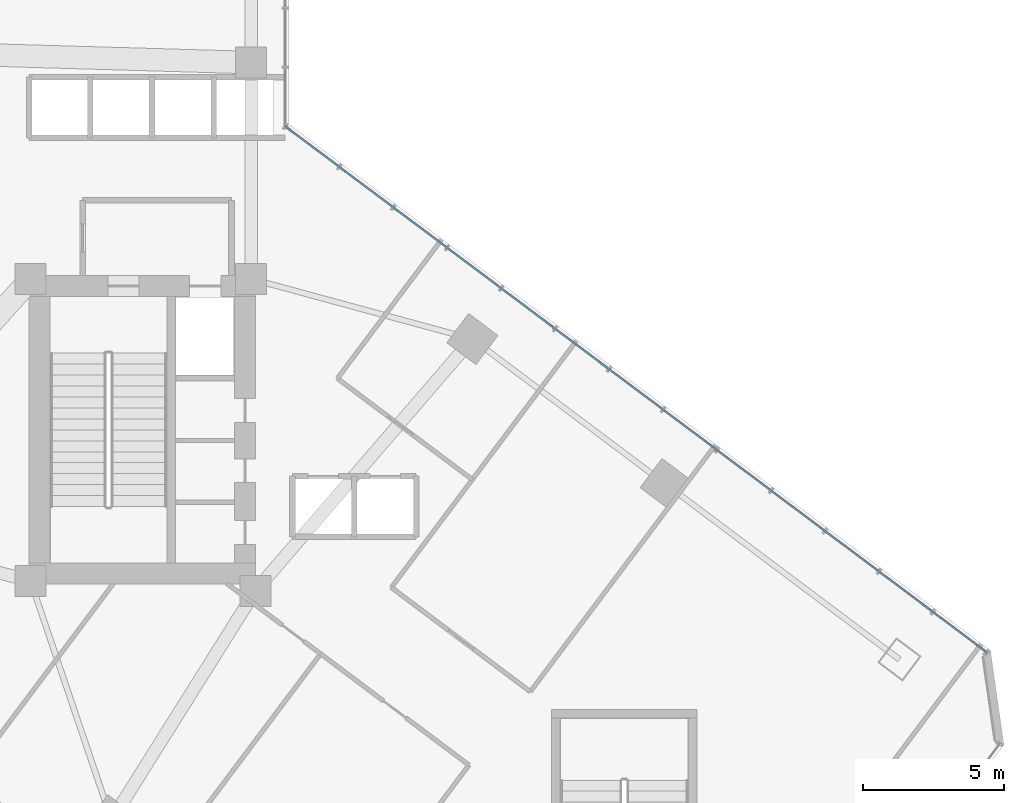
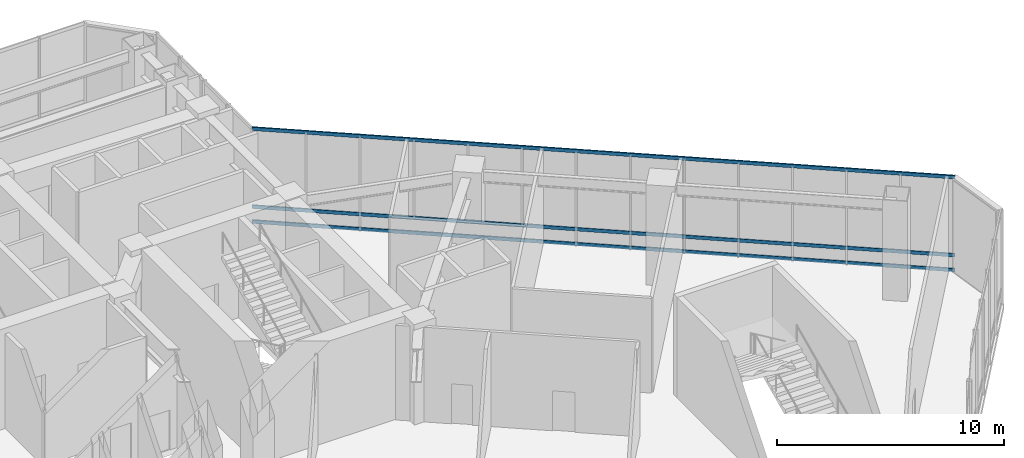
# One storey, part 8 of 35: 3 members, 1 element without a shape of its own.
"""IFC4 building model written with IfcOpenShell, lengths in metres."""

from ifc_helpers import new_model, si_unit, direction, frame, origin, origin_2d, place, context, subcontext, project, spatial, hollow_rectangle, extrude, material, layer, layer_set, material_profile, profile_set, type_object, element, aggregate, save


model = new_model("IFC4")

# Units and contexts
model_context = context("Model", 3, precision=1e-05, world=origin(), true_north=direction((0.0, 1.0)))
body_context = subcontext(model_context, "Body", "Model", "MODEL_VIEW")
ifc_project = project(units=[si_unit("LENGTHUNIT", "METRE"), si_unit("AREAUNIT", "SQUARE_METRE"), si_unit("VOLUMEUNIT", "CUBIC_METRE"), si_unit("PLANEANGLEUNIT", "RADIAN"), si_unit("MASSUNIT", "GRAM", prefix="KILO")], contexts=[model_context])

# Site, building, storey
site_placement = place(None, origin())
site = spatial("IfcSite", under=ifc_project, at=site_placement, CompositionType="ELEMENT")
building_placement = place(site_placement, origin())
building = spatial("IfcBuilding", under=site, at=building_placement, Name="Hatsunagi Terrace Concourse", CompositionType="ELEMENT")
storey_placement = place(building_placement, frame((0.0, 0.0, 10.800048828125)))
storey = spatial("IfcBuildingStorey", under=building, at=storey_placement, Name="L03", CompositionType="ELEMENT", Elevation=10.800048828125)

# Curtain wall, members
ifc_material_1 = material(Name="Anodised Aluminium Alloy 6063-T5", Category="aluminium")
ifc_layer = layer(ifc_material_1, 0.199951171875)
ifc_layer_set = layer_set([ifc_layer], Name="PodiumStorefront_CW01")
curtain_wall_type = type_object("IfcCurtainWallType", Name="PodiumStorefront_CW01", PredefinedType="NOTDEFINED", material=ifc_layer_set)
curtain_wall_placement = place(storey_placement, origin())
curtain_wall = element("IfcCurtainWall", 1, at=curtain_wall_placement, inside=storey, type_object=curtain_wall_type, Name="Unitised Curtain Wall CW-01 CW-L03-01", PredefinedType="NOTDEFINED")
ifc_material_2 = material(Name="Anodised Aluminium Alloy 6063-T5", Category="aluminium")
ifc_material_profile = material_profile(ifc_material_2, hollow_rectangle(XDim=0.070068359375, YDim=0.179931640625, WallThickness=0.00390625, at=origin_2d()), Name="ALU-TRN-180x70x4")
ifc_profile_set = profile_set([ifc_material_profile], Name="Anodised Aluminium Alloy 6063-T5")
member_type = type_object("IfcMemberType", Name="CurtainWallTransom_Heavy_180x70", PredefinedType="USERDEFINED", material=ifc_profile_set)
member_1_placement = place(storey_placement, frame((44.860107421875, 40.72998046875, 0.050048828125), z_axis=(0.800006570398, -0.599991239369, 0.0), x_axis=(0.599991239369, 0.800006570398, 0.0)))
member_1 = element("IfcMember", 2, at=member_1_placement, type_object=member_type, Name="Curtain Wall Transom TRN-01", ObjectType="TRANSOM", PredefinedType="USERDEFINED", context=body_context, shape_type="SweptSolid", body=[
    extrude(hollow_rectangle(XDim=0.070068359375, YDim=0.179931640625, WallThickness=0.00390625, at=origin_2d()), origin(), (0.0, 0.0, 1.0), 31.212158203125),
])
member_2_placement = place(storey_placement, frame((44.860107421875, 40.72998046875, 0.849853515625), z_axis=(0.800006570398, -0.599991239369, 0.0), x_axis=(0.599991239369, 0.800006570398, 0.0)))
member_2 = element("IfcMember", 3, at=member_2_placement, type_object=member_type, Name="Curtain Wall Transom TRN-01", ObjectType="TRANSOM", PredefinedType="USERDEFINED", context=body_context, shape_type="SweptSolid", body=[
    extrude(hollow_rectangle(XDim=0.070068359375, YDim=0.179931640625, WallThickness=0.00390625, at=origin_2d()), origin(), (0.0, 0.0, 1.0), 31.212158203125),
])
member_3_placement = place(storey_placement, frame((44.860107421875, 40.72998046875, 5.050048828125), z_axis=(0.800006570398, -0.599991239369, 0.0), x_axis=(0.599991239369, 0.800006570398, 0.0)))
member_3 = element("IfcMember", 4, at=member_3_placement, type_object=member_type, Name="Curtain Wall Transom TRN-01", ObjectType="TRANSOM", PredefinedType="USERDEFINED", context=body_context, shape_type="SweptSolid", body=[
    extrude(hollow_rectangle(XDim=0.070068359375, YDim=0.179931640625, WallThickness=0.00390625, at=origin_2d()), origin(), (0.0, 0.0, 1.0), 31.212158203125),
])
aggregate(curtain_wall, [member_1, member_2, member_3])

save(model, "model.ifc")
